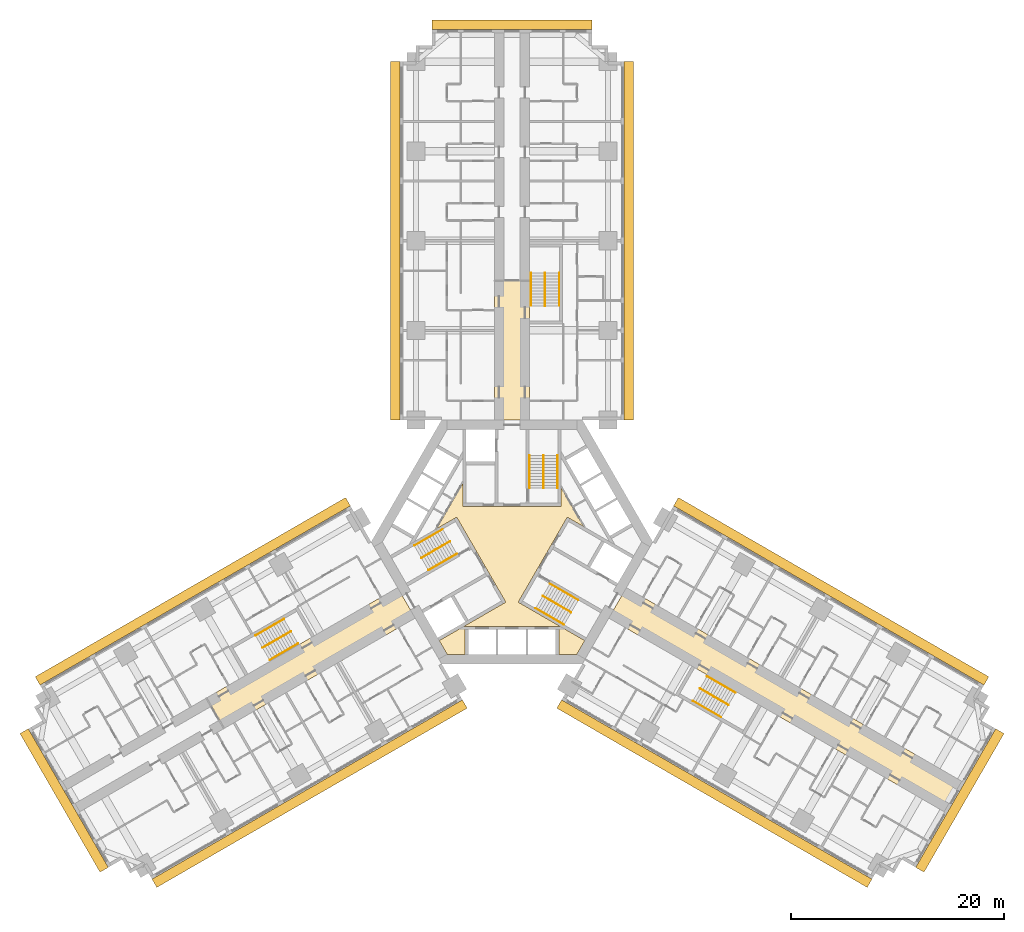
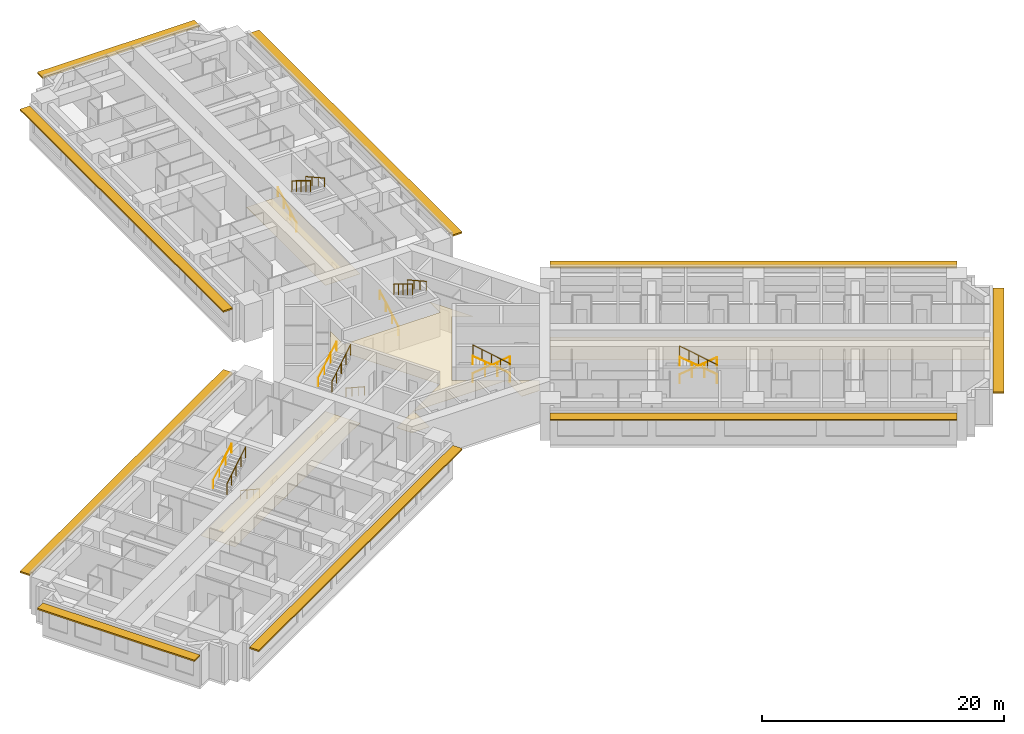
# One storey, part 16 of 16: 18 railings, 4 coverings, 3 shading devices.
"""IFC4 building model written with IfcOpenShell, lengths in metres."""

from ifc_helpers import new_model, si_unit, direction, frame, origin, origin_2d, place, context, subcontext, project, spatial, polyline, rectangle, circle, outline, extrude, material, layer, layer_set, type_object, element, save


model = new_model("IFC4")

# Units and contexts
model_context = context("Model", 3, precision=1e-05, world=origin(), true_north=direction((0.0, 1.0)))
body_context = subcontext(model_context, "Body", "Model", "MODEL_VIEW")
ifc_project = project(units=[si_unit("LENGTHUNIT", "METRE"), si_unit("AREAUNIT", "SQUARE_METRE"), si_unit("VOLUMEUNIT", "CUBIC_METRE"), si_unit("PLANEANGLEUNIT", "RADIAN"), si_unit("MASSUNIT", "GRAM", prefix="KILO")], contexts=[model_context])

# Site, building, storey
site_placement = place(None, origin())
site = spatial("IfcSite", under=ifc_project, at=site_placement, CompositionType="ELEMENT")
building_placement = place(site_placement, origin())
building = spatial("IfcBuilding", under=site, at=building_placement, Name="Impinga Residences", CompositionType="ELEMENT")
storey_placement = place(building_placement, frame((0.0, 0.0, 37.25)))
storey = spatial("IfcBuildingStorey", under=building, at=storey_placement, Name="L08", CompositionType="ELEMENT", Elevation=37.25)

# Coverings
ifc_material_1 = material(Name="Plasterboard 15 mm on steel hangers", Category="steel")
ifc_layer_1 = layer(ifc_material_1, 0.014892578125)
ifc_layer_set_1 = layer_set([ifc_layer_1], Name="Plasterboard 15 mm on steel hangers")
covering_type_1 = type_object("IfcCoveringType", Name="CL1 corridor ceiling, 15 mm plasterboard on hangers", PredefinedType="CEILING", material=ifc_layer_set_1)
covering_1_placement = place(storey_placement, frame((0.0, 0.0, 2.39990234375)))
element("IfcCovering", 1, at=covering_1_placement, inside=storey, type_object=covering_type_1, Name="Corridor ceiling CL1 L08-N00", PredefinedType="CEILING", context=body_context, shape_type="SweptSolid", body=[
    extrude(outline(polyline([(1.64990234375, 11.431640625), (-1.64990234375, 11.431640625), (-1.64990234375, 24.449951171875), (1.64990234375, 24.449951171875), (1.64990234375, 11.431640625)])), origin(), (0.0, 0.0, 1.0), 0.01513671875),
])
covering_2_placement = place(storey_placement, frame((0.0, 0.0, 2.39990234375)))
element("IfcCovering", 2, at=covering_2_placement, inside=storey, type_object=covering_type_1, Name="Corridor ceiling CL1 L08-W00", PredefinedType="CEILING", context=body_context, shape_type="SweptSolid", body=[
    extrude(outline(polyline([(-10.72509765625, -4.286865234375), (-9.074951171875, -7.144775390625), (-26.958740234375, -17.469970703125), (-28.60888671875, -14.612060546875), (-10.72509765625, -4.286865234375)])), origin(), (0.0, 0.0, 1.0), 0.01513671875),
])
covering_3_placement = place(storey_placement, frame((0.0, 0.0, 2.39990234375)))
element("IfcCovering", 3, at=covering_3_placement, inside=storey, type_object=covering_type_1, Name="Corridor ceiling CL1 L08-E00", PredefinedType="CEILING", context=body_context, shape_type="SweptSolid", body=[
    extrude(outline(polyline([(10.72509765625, -4.286865234375), (9.074951171875, -7.144775390625), (40.51171875, -25.294677734375), (42.16162109375, -22.436767578125), (10.72509765625, -4.286865234375)])), origin(), (0.0, 0.0, 1.0), 0.01513671875),
])
ifc_material_2 = material(Name="Mineral fibre tiles 20 mm on exposed grid", Category="mineral fibre")
ifc_layer_2 = layer(ifc_material_2, 0.02001953125)
ifc_layer_set_2 = layer_set([ifc_layer_2], Name="CL2 lift lobby ceiling, 20 mm mineral fibre tiles")
covering_type_2 = type_object("IfcCoveringType", Name="CL2 lift lobby ceiling, 20 mm mineral fibre tiles", PredefinedType="CEILING", material=ifc_layer_set_2)
covering_4_placement = place(storey_placement, frame((0.0, 0.0, 2.39990234375)))
element("IfcCovering", 4, at=covering_4_placement, inside=storey, type_object=covering_type_2, Name="Lift lobby ceiling CL2 L08-C01", PredefinedType="CEILING", context=body_context, shape_type="SweptSolid", body=[
    extrude(outline(polyline([(6.080322265625, -10.531494140625), (4.39990234375, -10.531494140625), (4.39990234375, -7.931640625), (-4.39990234375, -7.931640625), (-4.39990234375, -10.531494140625), (-6.080322265625, -10.531494140625), (-6.820556640625, -9.24951171875), (-0.583984375, -5.648681640625), (-5.183837890625, 2.318603515625), (-7.059326171875, 1.23583984375), (-4.60009765625, 5.49560546875), (-4.60009765625, 3.330078125), (4.60009765625, 3.330078125), (4.60009765625, 5.095703125), (6.712890625, 1.435791015625), (5.183837890625, 2.318603515625), (0.583984375, -5.648681640625), (6.820556640625, -9.24951171875), (6.080322265625, -10.531494140625)])), origin(), (0.0, 0.0, 1.0), 0.02001953125),
])

# Railings
ifc_material_3 = material(Name="Steel guard, powder coated", Category="steel")
railing_type_1 = type_object("IfcRailingType", Name="GR1 stair guard 1100", PredefinedType="GUARDRAIL", material=ifc_material_3)
railing_1_placement = place(storey_placement, frame((2.949951171875, 8.110107421875, 1.875)))
element("IfcRailing", 5, at=railing_1_placement, inside=storey, type_object=railing_type_1, Name="Stair guard GR1 ST1 L08", PredefinedType="GUARDRAIL", context=body_context, shape_type="SweptSolid", body=[
    extrude(circle(Radius=0.02392578125, at=origin_2d()), frame((0.0, 0.0, 1.076171875), z_axis=(0.0, -0.854177636135, 0.519981313056), x_axis=(1.0, 0.0, 0.0)), (0.0, 0.0, 1.0), 3.60595703125),
    extrude(circle(Radius=0.02099609375, at=origin_2d()), origin(), (0.0, 0.0, 1.0), 1.052001953125),
    extrude(circle(Radius=0.02099609375, at=origin_2d()), frame((0.0, -0.77001953125, 0.46875)), (0.0, 0.0, 1.0), 1.052001953125),
    extrude(circle(Radius=0.02099609375, at=origin_2d()), frame((0.0, -1.5400390625, 0.9375)), (0.0, 0.0, 1.0), 1.052001953125),
    extrude(circle(Radius=0.02099609375, at=origin_2d()), frame((0.0, -2.31005859375, 1.40625)), (0.0, 0.0, 1.0), 1.052001953125),
    extrude(circle(Radius=0.02099609375, at=origin_2d()), frame((0.0, -3.080078125, 1.875)), (0.0, 0.0, 1.0), 1.052001953125),
])
railing_2_placement = place(storey_placement, frame((-8.49853515625, -1.500244140625, 1.875)))
element("IfcRailing", 6, at=railing_2_placement, inside=storey, type_object=railing_type_1, Name="Stair guard GR1 ST2 L08", PredefinedType="GUARDRAIL", context=body_context, shape_type="SweptSolid", body=[
    extrude(circle(Radius=0.02392578125, at=origin_2d()), frame((0.0, 0.0, 1.076171875), z_axis=(0.739746383972, 0.427084037168, 0.519975492303), x_axis=(-0.499992328818, 0.866029832698, 0.0)), (0.0, 0.0, 1.0), 3.60595703125),
    extrude(circle(Radius=0.02099609375, at=origin_2d()), origin(), (0.0, 0.0, 1.0), 1.052001953125),
    extrude(circle(Radius=0.02099609375, at=origin_2d()), frame((0.6669921875, 0.385009765625, 0.46875)), (0.0, 0.0, 1.0), 1.052001953125),
    extrude(circle(Radius=0.02099609375, at=origin_2d()), frame((1.333740234375, 0.77001953125, 0.9375)), (0.0, 0.0, 1.0), 1.052001953125),
    extrude(circle(Radius=0.02099609375, at=origin_2d()), frame((2.00048828125, 1.155029296875, 1.40625)), (0.0, 0.0, 1.0), 1.052001953125),
    extrude(circle(Radius=0.02099609375, at=origin_2d()), frame((2.66748046875, 1.5400390625, 1.875)), (0.0, 0.0, 1.0), 1.052001953125),
])
railing_3_placement = place(storey_placement, frame((5.548583984375, -6.60986328125, 1.875)))
element("IfcRailing", 7, at=railing_3_placement, inside=storey, type_object=railing_type_1, Name="Stair guard GR1 ST3 L08", PredefinedType="GUARDRAIL", context=body_context, shape_type="SweptSolid", body=[
    extrude(circle(Radius=0.02392578125, at=origin_2d()), frame((0.0, 0.0, 1.076171875), z_axis=(-0.739746383972, 0.427084037168, 0.519975492303), x_axis=(-0.499992328818, -0.866029832698, 0.0)), (0.0, 0.0, 1.0), 3.60595703125),
    extrude(circle(Radius=0.02099609375, at=origin_2d()), origin(), (0.0, 0.0, 1.0), 1.052001953125),
    extrude(circle(Radius=0.02099609375, at=origin_2d()), frame((-0.6669921875, 0.385009765625, 0.46875)), (0.0, 0.0, 1.0), 1.052001953125),
    extrude(circle(Radius=0.02099609375, at=origin_2d()), frame((-1.333740234375, 0.77001953125, 0.9375)), (0.0, 0.0, 1.0), 1.052001953125),
    extrude(circle(Radius=0.02099609375, at=origin_2d()), frame((-2.00048828125, 1.155029296875, 1.40625)), (0.0, 0.0, 1.0), 1.052001953125),
    extrude(circle(Radius=0.02099609375, at=origin_2d()), frame((-2.66748046875, 1.5400390625, 1.875)), (0.0, 0.0, 1.0), 1.052001953125),
])
railing_4_placement = place(storey_placement, frame((3.10009765625, 25.21142578125, 1.875)))
element("IfcRailing", 8, at=railing_4_placement, inside=storey, type_object=railing_type_1, Name="Stair guard GR1 WS1 L08", PredefinedType="GUARDRAIL", context=body_context, shape_type="SweptSolid", body=[
    extrude(circle(Radius=0.02392578125, at=origin_2d()), frame((0.0, 0.0, 1.076171875), z_axis=(0.0, -0.854159328187, 0.520011386482), x_axis=(1.0, 0.0, 0.0)), (0.0, 0.0, 1.0), 3.605712890625),
    extrude(circle(Radius=0.02099609375, at=origin_2d()), origin(), (0.0, 0.0, 1.0), 1.052001953125),
    extrude(circle(Radius=0.02099609375, at=origin_2d()), frame((0.0, -0.77001953125, 0.46875)), (0.0, 0.0, 1.0), 1.052001953125),
    extrude(circle(Radius=0.02099609375, at=origin_2d()), frame((0.0, -1.5400390625, 0.9375)), (0.0, 0.0, 1.0), 1.052001953125),
    extrude(circle(Radius=0.02099609375, at=origin_2d()), frame((0.0, -2.309814453125, 1.40625)), (0.0, 0.0, 1.0), 1.052001953125),
    extrude(circle(Radius=0.02099609375, at=origin_2d()), frame((0.0, -3.079833984375, 1.875)), (0.0, 0.0, 1.0), 1.052001953125),
])
railing_5_placement = place(storey_placement, frame((-23.3837890625, -9.921142578125, 1.875)))
element("IfcRailing", 9, at=railing_5_placement, inside=storey, type_object=railing_type_1, Name="Stair guard GR1 WS2 L08", PredefinedType="GUARDRAIL", context=body_context, shape_type="SweptSolid", body=[
    extrude(circle(Radius=0.02392578125, at=origin_2d()), frame((0.0, 0.0, 1.076171875), z_axis=(0.739715726454, 0.427105428144, 0.52000153585), x_axis=(-0.500026652407, 0.866010015463, 0.0)), (0.0, 0.0, 1.0), 3.605712890625),
    extrude(circle(Radius=0.02099609375, at=origin_2d()), origin(), (0.0, 0.0, 1.0), 1.052001953125),
    extrude(circle(Radius=0.02099609375, at=origin_2d()), frame((0.666748046875, 0.385009765625, 0.46875)), (0.0, 0.0, 1.0), 1.052001953125),
    extrude(circle(Radius=0.02099609375, at=origin_2d()), frame((1.33349609375, 0.77001953125, 0.9375)), (0.0, 0.0, 1.0), 1.052001953125),
    extrude(circle(Radius=0.02099609375, at=origin_2d()), frame((2.00048828125, 1.155029296875, 1.40625)), (0.0, 0.0, 1.0), 1.052001953125),
    extrude(circle(Radius=0.02099609375, at=origin_2d()), frame((2.667236328125, 1.5400390625, 1.875)), (0.0, 0.0, 1.0), 1.052001953125),
])
railing_6_placement = place(storey_placement, frame((20.283935546875, -15.29052734375, 1.875)))
element("IfcRailing", 10, at=railing_6_placement, inside=storey, type_object=railing_type_1, Name="Stair guard GR1 WS3 L08", PredefinedType="GUARDRAIL", context=body_context, shape_type="SweptSolid", body=[
    extrude(circle(Radius=0.02392578125, at=origin_2d()), frame((0.0, 0.0, 1.076171875), z_axis=(-0.739746383972, 0.427084037168, 0.519975492303), x_axis=(-0.499992328818, -0.866029832698, 0.0)), (0.0, 0.0, 1.0), 3.60595703125),
    extrude(circle(Radius=0.02099609375, at=origin_2d()), origin(), (0.0, 0.0, 1.0), 1.052001953125),
    extrude(circle(Radius=0.02099609375, at=origin_2d()), frame((-0.6669921875, 0.385009765625, 0.46875)), (0.0, 0.0, 1.0), 1.052001953125),
    extrude(circle(Radius=0.02099609375, at=origin_2d()), frame((-1.333740234375, 0.77001953125, 0.9375)), (0.0, 0.0, 1.0), 1.052001953125),
    extrude(circle(Radius=0.02099609375, at=origin_2d()), frame((-2.00048828125, 1.155029296875, 1.40625)), (0.0, 0.0, 1.0), 1.052001953125),
    extrude(circle(Radius=0.02099609375, at=origin_2d()), frame((-2.66748046875, 1.5400390625, 1.875)), (0.0, 0.0, 1.0), 1.052001953125),
])
ifc_material_4 = material(Name="Steel handrail tube 42 mm, powder coated", Category="steel")
railing_type_2 = type_object("IfcRailingType", Name="HR1 stair handrail, 42 mm steel tube, 900 above the pitch line", PredefinedType="HANDRAIL", material=ifc_material_4)
railing_7_placement = place(storey_placement, frame((1.62109375, 5.030029296875, 0.15625)))
element("IfcRailing", 11, at=railing_7_placement, inside=storey, type_object=railing_type_2, Name="Stair handrail HR1 ST1 L08", PredefinedType="HANDRAIL", context=body_context, shape_type="SweptSolid", body=[
    extrude(circle(Radius=0.02099609375, at=origin_2d()), frame((0.0, 0.0, 0.87890625), z_axis=(0.0, 0.873241540666, 0.487287606713), x_axis=(-1.0, 0.0, 0.0)), (0.0, 0.0, 1.0), 3.527099609375),
    extrude(circle(Radius=0.012451171875, at=origin_2d()), origin(), (0.0, 0.0, 1.0), 0.85791015625),
    extrude(circle(Radius=0.012451171875, at=origin_2d()), frame((0.0, 1.026611328125, 0.572998046875)), (0.0, 0.0, 1.0), 0.85791015625),
    extrude(circle(Radius=0.012451171875, at=origin_2d()), frame((0.0, 2.053466796875, 1.145751953125)), (0.0, 0.0, 1.0), 0.85791015625),
    extrude(circle(Radius=0.012451171875, at=origin_2d()), frame((0.0, 3.080078125, 1.71875)), (0.0, 0.0, 1.0), 0.85791015625),
])
railing_8_placement = place(storey_placement, frame((4.279052734375, 8.110107421875, 2.03125)))
element("IfcRailing", 12, at=railing_8_placement, inside=storey, type_object=railing_type_2, Name="Stair handrail HR1 ST1 L08", PredefinedType="HANDRAIL", context=body_context, shape_type="SweptSolid", body=[
    extrude(circle(Radius=0.02099609375, at=origin_2d()), frame((0.0, 0.0, 0.87890625), z_axis=(0.0, -0.873241540666, 0.487287606713), x_axis=(1.0, 0.0, 0.0)), (0.0, 0.0, 1.0), 3.527099609375),
    extrude(circle(Radius=0.012451171875, at=origin_2d()), origin(), (0.0, 0.0, 1.0), 0.85791015625),
    extrude(circle(Radius=0.012451171875, at=origin_2d()), frame((0.0, -1.026611328125, 0.572998046875)), (0.0, 0.0, 1.0), 0.85791015625),
    extrude(circle(Radius=0.012451171875, at=origin_2d()), frame((0.0, -2.053466796875, 1.145751953125)), (0.0, 0.0, 1.0), 0.85791015625),
    extrude(circle(Radius=0.012451171875, at=origin_2d()), frame((0.0, -3.080078125, 1.71875)), (0.0, 0.0, 1.0), 0.85791015625),
])
railing_9_placement = place(storey_placement, frame((-5.16650390625, -1.111083984375, 0.15625)))
element("IfcRailing", 13, at=railing_9_placement, inside=storey, type_object=railing_type_2, Name="Stair handrail HR1 ST2 L08", PredefinedType="HANDRAIL", context=body_context, shape_type="SweptSolid", body=[
    extrude(circle(Radius=0.02099609375, at=origin_2d()), frame((0.0, 0.0, 0.87890625), z_axis=(-0.756255980417, -0.436615662133, 0.487281905742), x_axis=(0.499992328818, -0.866029832698, 0.0)), (0.0, 0.0, 1.0), 3.527099609375),
    extrude(circle(Radius=0.012451171875, at=origin_2d()), origin(), (0.0, 0.0, 1.0), 0.85791015625),
    extrude(circle(Radius=0.012451171875, at=origin_2d()), frame((-0.88916015625, -0.513427734375, 0.572998046875)), (0.0, 0.0, 1.0), 0.85791015625),
    extrude(circle(Radius=0.012451171875, at=origin_2d()), frame((-1.7783203125, -1.026611328125, 1.145751953125)), (0.0, 0.0, 1.0), 0.85791015625),
    extrude(circle(Radius=0.012451171875, at=origin_2d()), frame((-2.66748046875, -1.5400390625, 1.71875)), (0.0, 0.0, 1.0), 0.85791015625),
])
railing_10_placement = place(storey_placement, frame((-9.1630859375, -0.349365234375, 2.03125)))
element("IfcRailing", 14, at=railing_10_placement, inside=storey, type_object=railing_type_2, Name="Stair handrail HR1 ST2 L08", PredefinedType="HANDRAIL", context=body_context, shape_type="SweptSolid", body=[
    extrude(circle(Radius=0.02099609375, at=origin_2d()), frame((0.0, 0.0, 0.87890625), z_axis=(0.756255980417, 0.436615662133, 0.487281905742), x_axis=(-0.499992328818, 0.866029832698, 0.0)), (0.0, 0.0, 1.0), 3.527099609375),
    extrude(circle(Radius=0.012451171875, at=origin_2d()), origin(), (0.0, 0.0, 1.0), 0.85791015625),
    extrude(circle(Radius=0.012451171875, at=origin_2d()), frame((0.88916015625, 0.513427734375, 0.572998046875)), (0.0, 0.0, 1.0), 0.85791015625),
    extrude(circle(Radius=0.012451171875, at=origin_2d()), frame((1.7783203125, 1.026611328125, 1.145751953125)), (0.0, 0.0, 1.0), 0.85791015625),
    extrude(circle(Radius=0.012451171875, at=origin_2d()), frame((2.66748046875, 1.5400390625, 1.71875)), (0.0, 0.0, 1.0), 0.85791015625),
])
railing_11_placement = place(storey_placement, frame((3.545654296875, -3.9189453125, 0.15625)))
element("IfcRailing", 15, at=railing_11_placement, inside=storey, type_object=railing_type_2, Name="Stair handrail HR1 ST3 L08", PredefinedType="HANDRAIL", context=body_context, shape_type="SweptSolid", body=[
    extrude(circle(Radius=0.02099609375, at=origin_2d()), frame((0.0, 0.0, 0.87890625), z_axis=(0.756249203677, -0.436582492228, 0.487322141317), x_axis=(0.499967199496, 0.866044340336, 0.0)), (0.0, 0.0, 1.0), 3.52685546875),
    extrude(circle(Radius=0.012451171875, at=origin_2d()), origin(), (0.0, 0.0, 1.0), 0.85791015625),
    extrude(circle(Radius=0.012451171875, at=origin_2d()), frame((0.88916015625, -0.51318359375, 0.572998046875)), (0.0, 0.0, 1.0), 0.85791015625),
    extrude(circle(Radius=0.012451171875, at=origin_2d()), frame((1.778076171875, -1.026611328125, 1.145751953125)), (0.0, 0.0, 1.0), 0.85791015625),
    extrude(circle(Radius=0.012451171875, at=origin_2d()), frame((2.667236328125, -1.539794921875, 1.71875)), (0.0, 0.0, 1.0), 0.85791015625),
])
railing_12_placement = place(storey_placement, frame((4.884033203125, -7.7607421875, 2.03125)))
element("IfcRailing", 16, at=railing_12_placement, inside=storey, type_object=railing_type_2, Name="Stair handrail HR1 ST3 L08", PredefinedType="HANDRAIL", context=body_context, shape_type="SweptSolid", body=[
    extrude(circle(Radius=0.02099609375, at=origin_2d()), frame((0.0, 0.0, 0.87890625), z_axis=(-0.756255980417, 0.436615662133, 0.487281905742), x_axis=(-0.499992328818, -0.866029832698, 0.0)), (0.0, 0.0, 1.0), 3.527099609375),
    extrude(circle(Radius=0.012451171875, at=origin_2d()), origin(), (0.0, 0.0, 1.0), 0.85791015625),
    extrude(circle(Radius=0.012451171875, at=origin_2d()), frame((-0.88916015625, 0.513427734375, 0.572998046875)), (0.0, 0.0, 1.0), 0.85791015625),
    extrude(circle(Radius=0.012451171875, at=origin_2d()), frame((-1.7783203125, 1.026611328125, 1.145751953125)), (0.0, 0.0, 1.0), 0.85791015625),
    extrude(circle(Radius=0.012451171875, at=origin_2d()), frame((-2.66748046875, 1.5400390625, 1.71875)), (0.0, 0.0, 1.0), 0.85791015625),
])
railing_13_placement = place(storey_placement, frame((1.77099609375, 22.131591796875, 0.15625)))
element("IfcRailing", 17, at=railing_13_placement, inside=storey, type_object=railing_type_2, Name="Stair handrail HR1 WS1 L08", PredefinedType="HANDRAIL", context=body_context, shape_type="SweptSolid", body=[
    extrude(circle(Radius=0.02099609375, at=origin_2d()), frame((0.0, 0.0, 0.87890625), z_axis=(0.0, 0.873225103656, 0.487317061414), x_axis=(-1.0, 0.0, 0.0)), (0.0, 0.0, 1.0), 3.52685546875),
    extrude(circle(Radius=0.012451171875, at=origin_2d()), origin(), (0.0, 0.0, 1.0), 0.85791015625),
    extrude(circle(Radius=0.012451171875, at=origin_2d()), frame((0.0, 1.026611328125, 0.572998046875)), (0.0, 0.0, 1.0), 0.85791015625),
    extrude(circle(Radius=0.012451171875, at=origin_2d()), frame((0.0, 2.05322265625, 1.145751953125)), (0.0, 0.0, 1.0), 0.85791015625),
    extrude(circle(Radius=0.012451171875, at=origin_2d()), frame((0.0, 3.079833984375, 1.71875)), (0.0, 0.0, 1.0), 0.85791015625),
])
railing_14_placement = place(storey_placement, frame((4.428955078125, 25.21142578125, 2.03125)))
element("IfcRailing", 18, at=railing_14_placement, inside=storey, type_object=railing_type_2, Name="Stair handrail HR1 WS1 L08", PredefinedType="HANDRAIL", context=body_context, shape_type="SweptSolid", body=[
    extrude(circle(Radius=0.02099609375, at=origin_2d()), frame((0.0, 0.0, 0.87890625), z_axis=(0.0, -0.873225103656, 0.487317061414), x_axis=(1.0, 0.0, 0.0)), (0.0, 0.0, 1.0), 3.52685546875),
    extrude(circle(Radius=0.012451171875, at=origin_2d()), origin(), (0.0, 0.0, 1.0), 0.85791015625),
    extrude(circle(Radius=0.012451171875, at=origin_2d()), frame((0.0, -1.026611328125, 0.572998046875)), (0.0, 0.0, 1.0), 0.85791015625),
    extrude(circle(Radius=0.012451171875, at=origin_2d()), frame((0.0, -2.05322265625, 1.145751953125)), (0.0, 0.0, 1.0), 0.85791015625),
    extrude(circle(Radius=0.012451171875, at=origin_2d()), frame((0.0, -3.079833984375, 1.71875)), (0.0, 0.0, 1.0), 0.85791015625),
])
railing_15_placement = place(storey_placement, frame((-20.052001953125, -9.531982421875, 0.15625)))
element("IfcRailing", 19, at=railing_15_placement, inside=storey, type_object=railing_type_2, Name="Stair handrail HR1 WS2 L08", PredefinedType="HANDRAIL", context=body_context, shape_type="SweptSolid", body=[
    extrude(circle(Radius=0.02099609375, at=origin_2d()), frame((0.0, 0.0, 0.87890625), z_axis=(-0.756226348243, -0.436638517594, 0.487307413422), x_axis=(0.500026652407, -0.866010015463, 0.0)), (0.0, 0.0, 1.0), 3.527099609375),
    extrude(circle(Radius=0.012451171875, at=origin_2d()), origin(), (0.0, 0.0, 1.0), 0.85791015625),
    extrude(circle(Radius=0.012451171875, at=origin_2d()), frame((-0.88916015625, -0.513427734375, 0.572998046875)), (0.0, 0.0, 1.0), 0.85791015625),
    extrude(circle(Radius=0.012451171875, at=origin_2d()), frame((-1.778076171875, -1.026611328125, 1.145751953125)), (0.0, 0.0, 1.0), 0.85791015625),
    extrude(circle(Radius=0.012451171875, at=origin_2d()), frame((-2.667236328125, -1.5400390625, 1.71875)), (0.0, 0.0, 1.0), 0.85791015625),
])
railing_16_placement = place(storey_placement, frame((-24.04833984375, -8.77001953125, 2.03125)))
element("IfcRailing", 20, at=railing_16_placement, inside=storey, type_object=railing_type_2, Name="Stair handrail HR1 WS2 L08", PredefinedType="HANDRAIL", context=body_context, shape_type="SweptSolid", body=[
    extrude(circle(Radius=0.02099609375, at=origin_2d()), frame((0.0, 0.0, 0.87890625), z_axis=(0.756278834354, 0.436559638319, 0.487296631324), x_axis=(-0.499932877268, 0.866064153644, 0.0)), (0.0, 0.0, 1.0), 3.527099609375),
    extrude(circle(Radius=0.012451171875, at=origin_2d()), origin(), (0.0, 0.0, 1.0), 0.85791015625),
    extrude(circle(Radius=0.012451171875, at=origin_2d()), frame((0.88916015625, 0.51318359375, 0.572998046875)), (0.0, 0.0, 1.0), 0.85791015625),
    extrude(circle(Radius=0.012451171875, at=origin_2d()), frame((1.7783203125, 1.026611328125, 1.145751953125)), (0.0, 0.0, 1.0), 0.85791015625),
    extrude(circle(Radius=0.012451171875, at=origin_2d()), frame((2.66748046875, 1.539794921875, 1.71875)), (0.0, 0.0, 1.0), 0.85791015625),
])
railing_17_placement = place(storey_placement, frame((18.281005859375, -12.599609375, 0.15625)))
element("IfcRailing", 21, at=railing_17_placement, inside=storey, type_object=railing_type_2, Name="Stair handrail HR1 WS3 L08", PredefinedType="HANDRAIL", context=body_context, shape_type="SweptSolid", body=[
    extrude(circle(Radius=0.02099609375, at=origin_2d()), frame((0.0, 0.0, 0.87890625), z_axis=(0.756249203677, -0.436582492228, 0.487322141317), x_axis=(0.499967199496, 0.866044340336, 0.0)), (0.0, 0.0, 1.0), 3.52685546875),
    extrude(circle(Radius=0.012451171875, at=origin_2d()), origin(), (0.0, 0.0, 1.0), 0.85791015625),
    extrude(circle(Radius=0.012451171875, at=origin_2d()), frame((0.88916015625, -0.51318359375, 0.572998046875)), (0.0, 0.0, 1.0), 0.85791015625),
    extrude(circle(Radius=0.012451171875, at=origin_2d()), frame((1.778076171875, -1.026611328125, 1.145751953125)), (0.0, 0.0, 1.0), 0.85791015625),
    extrude(circle(Radius=0.012451171875, at=origin_2d()), frame((2.667236328125, -1.539794921875, 1.71875)), (0.0, 0.0, 1.0), 0.85791015625),
])
railing_18_placement = place(storey_placement, frame((19.619384765625, -16.44140625, 2.03125)))
element("IfcRailing", 22, at=railing_18_placement, inside=storey, type_object=railing_type_2, Name="Stair handrail HR1 WS3 L08", PredefinedType="HANDRAIL", context=body_context, shape_type="SweptSolid", body=[
    extrude(circle(Radius=0.02099609375, at=origin_2d()), frame((0.0, 0.0, 0.87890625), z_axis=(-0.756255980417, 0.436615662133, 0.487281905742), x_axis=(-0.499992328818, -0.866029832698, 0.0)), (0.0, 0.0, 1.0), 3.527099609375),
    extrude(circle(Radius=0.012451171875, at=origin_2d()), origin(), (0.0, 0.0, 1.0), 0.85791015625),
    extrude(circle(Radius=0.012451171875, at=origin_2d()), frame((-0.88916015625, 0.513427734375, 0.572998046875)), (0.0, 0.0, 1.0), 0.85791015625),
    extrude(circle(Radius=0.012451171875, at=origin_2d()), frame((-1.7783203125, 1.026611328125, 1.145751953125)), (0.0, 0.0, 1.0), 0.85791015625),
    extrude(circle(Radius=0.012451171875, at=origin_2d()), frame((-2.66748046875, 1.5400390625, 1.71875)), (0.0, 0.0, 1.0), 0.85791015625),
])

# Shading devices
ifc_material_5 = material(Name="Terracotta sunshade blades on aluminium brackets", Category="masonry")
ifc_layer_3 = layer(ifc_material_5, 0.14990234375)
ifc_layer_set_3 = layer_set([ifc_layer_3], Name="SS1 SUNSHADE terracotta sunshade band 900")
shading_device_type = type_object("IfcShadingDeviceType", Name="SS1 SUNSHADE terracotta sunshade band 900", PredefinedType="USERDEFINED", material=ifc_layer_set_3)
shading_device_1_placement = place(storey_placement, frame((-10.949951171875, 28.2314453125, 3.10009765625), z_axis=(0.0, 0.0, 1.0), x_axis=(0.0, 1.0, 0.0)))
element("IfcShadingDevice", 23, at=shading_device_1_placement, inside=storey, type_object=shading_device_type, Name="SUNSHADE band L08 NORTH WING", ObjectType="SUNSHADE", PredefinedType="USERDEFINED", context=body_context, shape_type="SweptSolid", body=[
    extrude(rectangle(XDim=33.60009765625, YDim=0.89990234375, at=origin_2d()), origin(), (0.0, 0.0, 1.0), 0.14990234375),
    extrude(rectangle(XDim=15.0, YDim=0.89990234375, at=origin_2d()), frame((20.25, -10.949951171875, 0.0), z_axis=(0.0, 0.0, 1.0), x_axis=(0.0, -1.0, 0.0)), (0.0, 0.0, 1.0), 0.14990234375),
    extrude(rectangle(XDim=33.60009765625, YDim=0.89990234375, at=origin_2d()), frame((0.0, -21.89990234375, 0.0), z_axis=(0.0, 0.0, 1.0), x_axis=(-1.0, 0.0, 0.0)), (0.0, 0.0, 1.0), 0.14990234375),
])
shading_device_2_placement = place(storey_placement, frame((-41.986328125, -24.24072265625, 3.10009765625), z_axis=(0.0, 0.0, 1.0), x_axis=(-0.5, 0.866025403784, 0.0)))
element("IfcShadingDevice", 24, at=shading_device_2_placement, inside=storey, type_object=shading_device_type, Name="SUNSHADE band L08 WEST WING", ObjectType="SUNSHADE", PredefinedType="USERDEFINED", context=body_context, shape_type="SweptSolid", body=[
    extrude(rectangle(XDim=15.0, YDim=0.89990234375, at=origin_2d()), origin(), (0.0, 0.0, 1.0), 0.14990234375),
    extrude(rectangle(XDim=33.60009765625, YDim=0.89990234375, at=origin_2d()), frame((10.949951171875, -20.25, 0.0), z_axis=(0.0, 0.0, 1.0), x_axis=(0.0, -1.0, 0.0)), (0.0, 0.0, 1.0), 0.14990234375),
    extrude(rectangle(XDim=33.60009765625, YDim=0.89990234375, at=origin_2d()), frame((-10.949951171875, -20.250244140625, 0.0), z_axis=(0.0, 0.0, 1.0), x_axis=(0.0, 1.0, 0.0)), (0.0, 0.0, 1.0), 0.14990234375),
])
shading_device_3_placement = place(storey_placement, frame((29.92431640625, -4.6328125, 3.10009765625), z_axis=(0.0, 0.0, 1.0), x_axis=(0.866025403784, -0.5, 0.0)))
element("IfcShadingDevice", 25, at=shading_device_3_placement, inside=storey, type_object=shading_device_type, Name="SUNSHADE band L08 EAST WING", ObjectType="SUNSHADE", PredefinedType="USERDEFINED", context=body_context, shape_type="SweptSolid", body=[
    extrude(rectangle(XDim=33.60009765625, YDim=0.89990234375, at=origin_2d()), origin(), (0.0, 0.0, 1.0), 0.14990234375),
    extrude(rectangle(XDim=15.0, YDim=0.89990234375, at=origin_2d()), frame((20.25, -10.949951171875, 0.0), z_axis=(0.0, 0.0, 1.0), x_axis=(0.0, -1.0, 0.0)), (0.0, 0.0, 1.0), 0.14990234375),
    extrude(rectangle(XDim=33.60009765625, YDim=0.89990234375, at=origin_2d()), frame((-0.000244140625, -21.89990234375, 0.0), z_axis=(0.0, 0.0, 1.0), x_axis=(-1.0, 0.0, 0.0)), (0.0, 0.0, 1.0), 0.14990234375),
])

save(model, "model.ifc")
